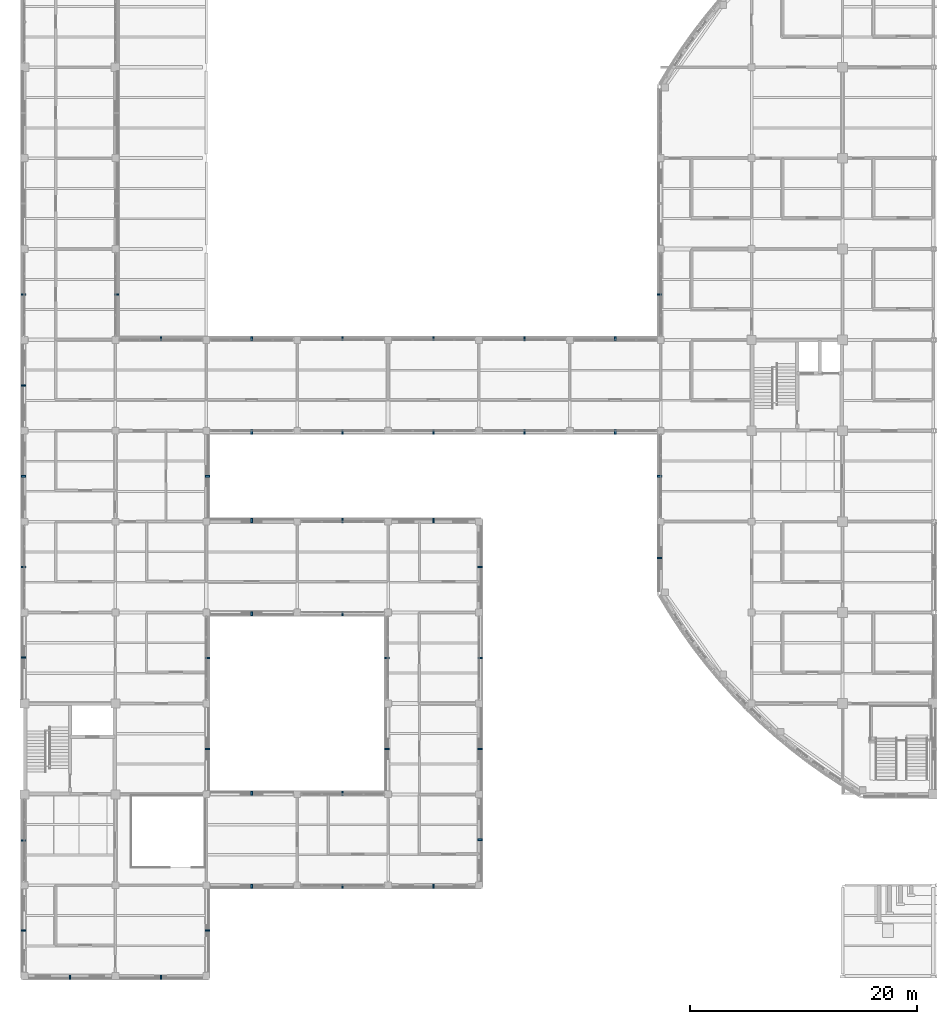
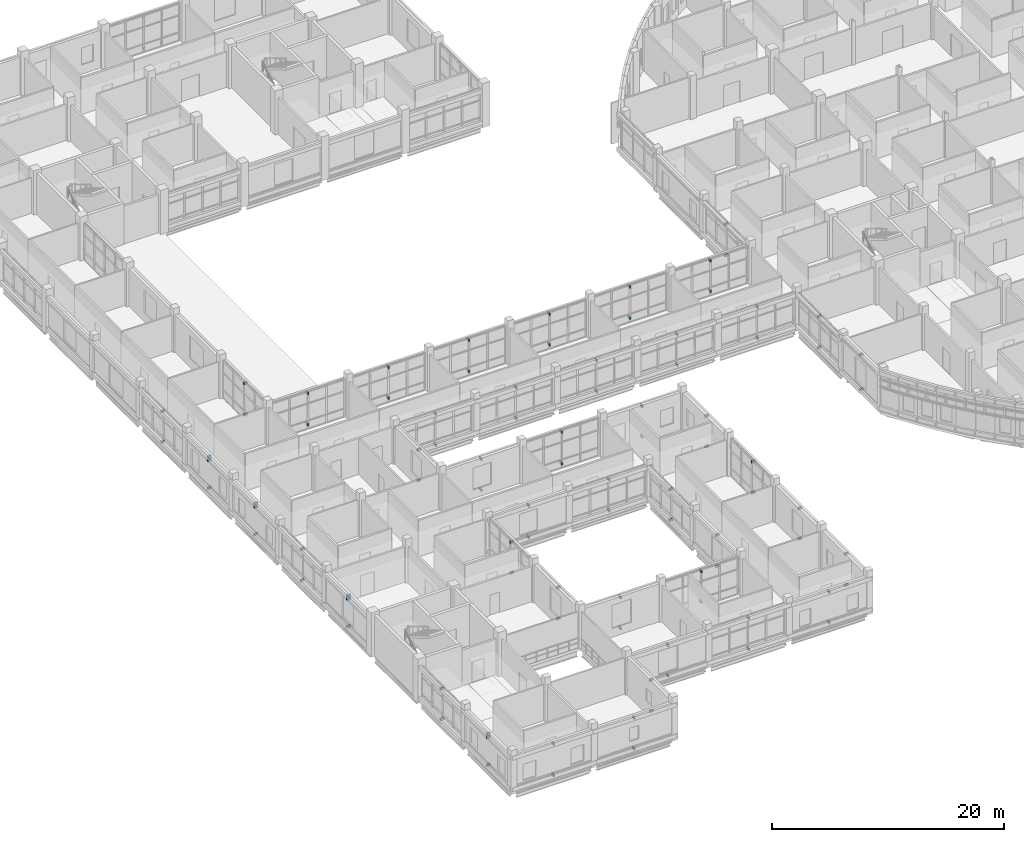
# One storey, part 101 of 121: 92 discrete accessories.
"""IFC4 building model written with IfcOpenShell, lengths in metres."""

import ifcopenshell
import ifcopenshell.guid

model = None  # the IFC model being written
_history = None  # IfcOwnerHistory: only IFC2X3 demands one
_inside = {}  # id of a spatial element -> (the spatial element, [elements in it])
_under = {}  # id of a project, library or spatial element -> (it, [spatial elements below it])
_declared = {}  # id of a project -> (the project, [libraries it declares])
_typed = {}  # id of a type object -> (the type object, [elements of that type])
_made_of = {}  # id of a material, layer set ... -> (it, [elements and type objects made of it])


def new_model(schema):
    """Start an empty IFC model of exactly this schema.

    Asked for "IFC4X3", IfcOpenShell would pick the latest addendum, in which some entities
    have other attributes; the version numbers below select the first issue.
    IFC2X3 requires an IfcOwnerHistory on every rooted entity: one is made here for all.
    """
    global model, _history
    if schema == "IFC4X3":
        model = ifcopenshell.file(schema_version=(4, 3, 0, 0))
    else:
        model = ifcopenshell.file(schema=schema)
    _inside.clear()
    _under.clear()
    _declared.clear()
    _typed.clear()
    _made_of.clear()
    _history = None
    if model.schema == "IFC2X3":
        org = make("IfcOrganization", Name="unknown")
        user = make(
            "IfcPersonAndOrganization",
            ThePerson=make("IfcPerson", FamilyName="unknown"),
            TheOrganization=org,
        )
        app = make(
            "IfcApplication",
            ApplicationDeveloper=org,
            Version="unknown",
            ApplicationFullName="unknown",
            ApplicationIdentifier="unknown",
        )
        _history = make(
            "IfcOwnerHistory",
            OwningUser=user,
            OwningApplication=app,
            ChangeAction="ADDED",
            CreationDate=0,
        )
    return model


def make(cls, **values):
    """One entity of the class cls with the attributes given. An attribute that is None is left unset."""
    return model.create_entity(
        cls, **{name: value for name, value in values.items() if value is not None}
    )


def rooted(cls, **values):
    """An entity with a GlobalId (a new one), such as an element, a storey or a relation."""
    return make(cls, GlobalId=ifcopenshell.guid.new(), OwnerHistory=_history, **values)


def si_unit(unit_type, name, prefix=None):
    """IfcSIUnit, for example si_unit("LENGTHUNIT", "METRE", prefix="MILLI")."""
    return make("IfcSIUnit", UnitType=unit_type, Prefix=prefix, Name=name)


def derived_unit(unit_type, elements):
    """IfcDerivedUnit: a product of units, each with its exponent."""
    return make(
        "IfcDerivedUnit",
        Elements=[
            make("IfcDerivedUnitElement", Unit=unit, Exponent=power)
            for unit, power in elements
        ],
        UnitType=unit_type,
    )


def assignment(units):
    """IfcUnitAssignment: the units of a project."""
    return None if units is None else make("IfcUnitAssignment", Units=units)


def point(xyz):
    """IfcCartesianPoint."""
    return None if xyz is None else make("IfcCartesianPoint", Coordinates=xyz)


def direction(xyz):
    """IfcDirection."""
    return None if xyz is None else make("IfcDirection", DirectionRatios=xyz)


def frame(location, z_axis=None, x_axis=None):
    """IfcAxis2Placement3D, a coordinate frame: its origin and axes. An axis left out is left unset."""
    return make(
        "IfcAxis2Placement3D",
        Location=point(location),
        Axis=direction(z_axis),
        RefDirection=direction(x_axis),
    )


def frame_2d(location, x_axis=None):
    """IfcAxis2Placement2D, a coordinate frame in the plane: its origin and x axis."""
    return make(
        "IfcAxis2Placement2D", Location=point(location), RefDirection=direction(x_axis)
    )


def origin():
    """The frame at (0, 0, 0) with its axes left unset."""
    return frame((0.0, 0.0, 0.0))


def origin_2d():
    """The frame at (0, 0) in the plane with its x axis left unset."""
    return frame_2d((0.0, 0.0))


def place(relative_to, where):
    """IfcLocalPlacement: puts the frame where relative to a parent placement (None: the world)."""
    return make(
        "IfcLocalPlacement", PlacementRelTo=relative_to, RelativePlacement=where
    )


def context(
    kind, dimensions, precision=None, world=None, true_north=None, identifier=None
):
    """IfcGeometricRepresentationContext, for example the 3D "Model" context."""
    return make(
        "IfcGeometricRepresentationContext",
        ContextIdentifier=identifier,
        ContextType=kind,
        CoordinateSpaceDimension=dimensions,
        Precision=precision,
        WorldCoordinateSystem=world,
        TrueNorth=true_north,
    )


def subcontext(parent, identifier, kind, view, scale=None):
    """IfcGeometricRepresentationSubContext, for example "Body" below "Model"."""
    return make(
        "IfcGeometricRepresentationSubContext",
        ContextIdentifier=identifier,
        ContextType=kind,
        ParentContext=parent,
        TargetScale=scale,
        TargetView=view,
    )


def project(units=None, contexts=None):
    """IfcProject with its units and contexts."""
    return rooted(
        "IfcProject",
        Name="project",
        RepresentationContexts=contexts,
        UnitsInContext=assignment(units),
    )


def spatial(cls, under=None, at=None, **own):
    """A site, building, storey or space (cls), placed at a placement, below another one or the project."""
    s = rooted(cls, ObjectPlacement=at, **own)
    if under is not None:
        _under.setdefault(under.id(), (under, []))[1].append(s)
    return s


def profile(cls, at=None, kind="AREA", **sizes):
    """A parametric profile (cls). Its sizes go by their IFC names, for example OverallWidth=200.0."""
    return make(cls, ProfileType=kind, Position=at, **sizes)


def rectangle(**sizes):
    """IfcRectangleProfileDef."""
    return profile("IfcRectangleProfileDef", **sizes)


def extrude(swept, where, along, depth):
    """IfcExtrudedAreaSolid: the profile swept, set in the frame where, extruded along a direction by depth."""
    return make(
        "IfcExtrudedAreaSolid",
        SweptArea=swept,
        Position=where,
        ExtrudedDirection=direction(along),
        Depth=depth,
    )


def shape(context_of_items, identifier, shape_type, items):
    """IfcShapeRepresentation: the items that make up one representation, for example the "Body"."""
    return make(
        "IfcShapeRepresentation",
        ContextOfItems=context_of_items,
        RepresentationIdentifier=identifier,
        RepresentationType=shape_type,
        Items=items,
    )


def material(Name=None, Category=None):
    """IfcMaterial."""
    return make("IfcMaterial", Name=Name, Category=Category)


def made_of(thing, what):
    """Note that an element or type object is made of a material, layer set ...; save() writes the relation."""
    if what is not None:
        _made_of.setdefault(what.id(), (what, []))[1].append(thing)
    return thing


def type_object(cls, material=None, **own):
    """A type object (cls), such as IfcWallType, which elements share."""
    return made_of(rooted(cls, **own), material)


def element(
    cls,
    number,
    at=None,
    inside=None,
    cuts=None,
    type_object=None,
    material=None,
    context=None,
    identifier="Body",
    shape_type=None,
    held_by="IfcProductDefinitionShape",
    body=None,
    shapes=None,
    **own,
):
    """One element of the class cls, such as IfcWall. Its Tag is "e" and its number.

    at: its placement. inside: the storey or other place that contains it. cuts: it is an
    opening in that element (IfcRelVoidsElement). A single representation is given by context,
    identifier, shape_type and body (its items); several are given by shapes. held_by: the class
    of the entity that holds the representations. save() writes the other relations.
    """
    e = rooted(cls, Tag="e%d" % number, ObjectPlacement=at, **own)
    if body is not None:
        shapes = [shape(context, identifier, shape_type, body)]
    if shapes is not None:
        e.Representation = make(held_by, Representations=shapes)
    if inside is not None:
        _inside.setdefault(inside.id(), (inside, []))[1].append(e)
    if cuts is not None:
        rooted(
            "IfcRelVoidsElement", RelatingBuildingElement=cuts, RelatedOpeningElement=e
        )
    if type_object is not None:
        _typed.setdefault(type_object.id(), (type_object, []))[1].append(e)
    return made_of(e, material)


def aggregate(whole, parts):
    """IfcRelAggregates: a whole, such as a stair, and the parts it consists of."""
    return rooted("IfcRelAggregates", RelatingObject=whole, RelatedObjects=parts)


def save(model, path):
    """Write the relations noted so far, then the file.

    IfcRelAggregates (storeys below a building ...), IfcRelContainedInSpatialStructure (elements
    in a storey), IfcRelDefinesByType, IfcRelAssociatesMaterial and IfcRelDeclares: one each for
    every whole, place, type object, material and project.
    """
    for whole, parts in _under.values():
        aggregate(whole, parts)
    for where, things in _inside.values():
        rooted(
            "IfcRelContainedInSpatialStructure",
            RelatedElements=things,
            RelatingStructure=where,
        )
    for kind, things in _typed.values():
        rooted("IfcRelDefinesByType", RelatedObjects=things, RelatingType=kind)
    for what, things in _made_of.values():
        rooted("IfcRelAssociatesMaterial", RelatedObjects=things, RelatingMaterial=what)
    for by, libraries in _declared.values():
        rooted("IfcRelDeclares", RelatingContext=by, RelatedDefinitions=libraries)
    model.write(path)


model = new_model("IFC4")

# Units and contexts
model_context = context("Model", 3, precision=1e-05, world=origin(), true_north=direction((0.0, 1.0)))
body_context = subcontext(model_context, "Body", "Model", "MODEL_VIEW")
ifc_project = project(units=[si_unit("LENGTHUNIT", "METRE"), si_unit("AREAUNIT", "SQUARE_METRE"), si_unit("VOLUMEUNIT", "CUBIC_METRE"), si_unit("PLANEANGLEUNIT", "RADIAN"), si_unit("MASSUNIT", "GRAM", prefix="KILO"), derived_unit("THERMALTRANSMITTANCEUNIT", [(si_unit("MASSUNIT", "GRAM", prefix="KILO"), 1), (si_unit("TIMEUNIT", "SECOND"), -3), (si_unit("THERMODYNAMICTEMPERATUREUNIT", "KELVIN"), -1)])], contexts=[model_context])

# Site, building, storey
site_placement = place(None, origin())
site = spatial("IfcSite", under=ifc_project, at=site_placement, CompositionType="ELEMENT")
building_placement = place(site_placement, origin())
building = spatial("IfcBuilding", under=site, at=building_placement, Name="Veyamyaing Civic Hall", CompositionType="ELEMENT")
storey_placement = place(building_placement, frame((0.0, 0.0, 5.280029296875)))
storey = spatial("IfcBuildingStorey", under=building, at=storey_placement, Name="L01", CompositionType="ELEMENT", Elevation=5.280029296875)

# Discrete accessories
ifc_material = material(Name="Steel S355J2", Category="steel")
discrete_accessory_type = type_object("IfcDiscreteAccessoryType", Name="BK-01", PredefinedType="BRACKET", material=ifc_material)
for number, where, z_axis, x_axis, name in (
    (1, (4.0, -0.10009765625, 3.6337890625), (0.0, 0.0, 1.0), (0.0, -1.0, 0.0), "Sunshade anchor bracket BK-01 L01 S 1.1"),
    (2, (4.0, -0.10009765625, 0.35986328125), (0.0, 0.0, 1.0), (0.0, -1.0, 0.0), "Lower ribbon anchor bracket BK-01 L01 S 1.1"),
    (3, (-0.10009765625, 4.0, 3.6337890625), (0.0, 0.0, 1.0), (-1.0, 0.0, 0.0), "Sunshade anchor bracket BK-01 L01 W 1.1"),
    (4, (-0.10009765625, 4.0, 0.35986328125), (0.0, 0.0, 1.0), (-1.0, 0.0, 0.0), "Lower ribbon anchor bracket BK-01 L01 W 1.1"),
    (5, (-0.10009765625, 4.0, 3.30419921875), (0.0, 0.0, 1.0), (-1.0, 0.0, 0.0), "Louvre anchor bracket BK-01 L01 W 1.1"),
    (6, (-0.10009765625, 11.949951171875, 3.57421875), (0.0, 0.0, 1.0), (-1.0, 0.0, 0.0), "Sunshade anchor bracket BK-01 L01 W 1.2"),
    (7, (-0.10009765625, 11.949951171875, 0.35986328125), (0.0, 0.0, 1.0), (-1.0, 0.0, 0.0), "Lower ribbon anchor bracket BK-01 L01 W 1.2"),
    (8, (-0.10009765625, 28.050048828125, 3.56982421875), (0.0, 0.0, 1.0), (-1.0, 0.0, 0.0), "Sunshade anchor bracket BK-01 L01 W 1.4"),
    (9, (-0.10009765625, 28.050048828125, 0.35986328125), (0.0, 0.0, 1.0), (-1.0, 0.0, 0.0), "Lower ribbon anchor bracket BK-01 L01 W 1.4"),
    (10, (-0.10009765625, 28.050048828125, 3.23974609375), (0.0, 0.0, 1.0), (-1.0, 0.0, 0.0), "Louvre anchor bracket BK-01 L01 W 1.4"),
    (11, (-0.10009765625, 36.0, 3.6337890625), (0.0, 0.0, 1.0), (-1.0, 0.0, 0.0), "Sunshade anchor bracket BK-01 L01 W 1.5"),
    (12, (-0.10009765625, 36.0, 0.35986328125), (0.0, 0.0, 1.0), (-1.0, 0.0, 0.0), "Lower ribbon anchor bracket BK-01 L01 W 1.5"),
    (13, (-0.10009765625, 44.0, 3.57421875), (0.0, 0.0, 1.0), (-1.0, 0.0, 0.0), "Sunshade anchor bracket BK-01 L01 W 1.6"),
    (14, (-0.10009765625, 44.0, 0.35986328125), (0.0, 0.0, 1.0), (-1.0, 0.0, 0.0), "Lower ribbon anchor bracket BK-01 L01 W 1.6"),
    (15, (-0.10009765625, 44.0, 3.244140625), (0.0, 0.0, 1.0), (-1.0, 0.0, 0.0), "Louvre anchor bracket BK-01 L01 W 1.6"),
    (16, (-0.10009765625, 52.0, 3.63720703125), (0.0, 0.0, 1.0), (-1.0, 0.0, 0.0), "Sunshade anchor bracket BK-01 L01 W 1.7"),
    (17, (-0.10009765625, 52.0, 0.35986328125), (0.0, 0.0, 1.0), (-1.0, 0.0, 0.0), "Lower ribbon anchor bracket BK-01 L01 W 1.7"),
    (18, (-0.10009765625, 52.0, 3.30712890625), (0.0, 0.0, 1.0), (-1.0, 0.0, 0.0), "Louvre anchor bracket BK-01 L01 W 1.7"),
    (19, (-0.10009765625, 60.0, 3.56982421875), (0.0, 0.0, 1.0), (-1.0, 0.0, 0.0), "Sunshade anchor bracket BK-01 L01 W 1.8"),
    (20, (-0.10009765625, 60.0, 0.35986328125), (0.0, 0.0, 1.0), (-1.0, 0.0, 0.0), "Lower ribbon anchor bracket BK-01 L01 W 1.8"),
    (21, (8.10009765625, 60.0, 3.6337890625), (0.0, 0.0, 1.0), (1.0, 0.0, 0.0), "Sunshade anchor bracket BK-01 L01 E 1.8"),
    (22, (8.10009765625, 60.0, 0.35986328125), (0.0, 0.0, 1.0), (1.0, 0.0, 0.0), "Lower ribbon anchor bracket BK-01 L01 E 1.8"),
    (23, (12.0, -0.10009765625, 3.57421875), (0.0, 0.0, 1.0), (0.0, -1.0, 0.0), "Sunshade anchor bracket BK-01 L01 S 2.1"),
    (24, (12.0, -0.10009765625, 0.35986328125), (0.0, 0.0, 1.0), (0.0, -1.0, 0.0), "Lower ribbon anchor bracket BK-01 L01 S 2.1"),
    (25, (16.10009765625, 4.0, 3.63720703125), (0.0, 0.0, 1.0), (1.0, 0.0, 0.0), "Sunshade anchor bracket BK-01 L01 E 2.1"),
    (26, (16.10009765625, 4.0, 0.35986328125), (0.0, 0.0, 1.0), (1.0, 0.0, 0.0), "Lower ribbon anchor bracket BK-01 L01 E 2.1"),
    (27, (16.10009765625, 20.0, 3.6337890625), (0.0, 0.0, 1.0), (1.0, 0.0, 0.0), "Sunshade anchor bracket BK-01 L01 E 2.3"),
    (28, (16.10009765625, 20.0, 0.35986328125), (0.0, 0.0, 1.0), (1.0, 0.0, 0.0), "Lower ribbon anchor bracket BK-01 L01 E 2.3"),
    (29, (16.10009765625, 28.0, 3.57421875), (0.0, 0.0, 1.0), (1.0, 0.0, 0.0), "Sunshade anchor bracket BK-01 L01 E 2.4"),
    (30, (16.10009765625, 28.0, 0.35986328125), (0.0, 0.0, 1.0), (1.0, 0.0, 0.0), "Lower ribbon anchor bracket BK-01 L01 E 2.4"),
    (31, (16.10009765625, 44.0, 3.56982421875), (0.0, 0.0, 1.0), (1.0, 0.0, 0.0), "Sunshade anchor bracket BK-01 L01 E 2.6"),
    (32, (16.10009765625, 44.0, 0.35986328125), (0.0, 0.0, 1.0), (1.0, 0.0, 0.0), "Lower ribbon anchor bracket BK-01 L01 E 2.6"),
    (33, (12.0, 56.10009765625, 3.6337890625), (0.0, 0.0, 1.0), (0.0, 1.0, 0.0), "Sunshade anchor bracket BK-01 L01 N 2.7"),
    (34, (12.0, 56.10009765625, 0.35986328125), (0.0, 0.0, 1.0), (0.0, 1.0, 0.0), "Lower ribbon anchor bracket BK-01 L01 N 2.7"),
    (35, (20.0, 7.89990234375, 3.56982421875), (0.0, 0.0, 1.0), (0.0, -1.0, 0.0), "Sunshade anchor bracket BK-01 L01 S 3.2"),
    (36, (20.0, 7.89990234375, 0.35986328125), (0.0, 0.0, 1.0), (0.0, -1.0, 0.0), "Lower ribbon anchor bracket BK-01 L01 S 3.2"),
    (37, (20.0, 16.10009765625, 3.6337890625), (0.0, 0.0, 1.0), (0.0, 1.0, 0.0), "Sunshade anchor bracket BK-01 L01 N 3.2"),
    (38, (20.0, 16.10009765625, 0.35986328125), (0.0, 0.0, 1.0), (0.0, 1.0, 0.0), "Lower ribbon anchor bracket BK-01 L01 N 3.2"),
    (39, (20.0, 31.89990234375, 3.68212890625), (0.0, 0.0, 1.0), (0.0, -1.0, 0.0), "Sunshade anchor bracket BK-01 L01 S 3.5"),
    (40, (20.0, 31.89990234375, 0.35986328125), (0.0, 0.0, 1.0), (0.0, -1.0, 0.0), "Lower ribbon anchor bracket BK-01 L01 S 3.5"),
    (41, (20.0, 40.10009765625, 3.61474609375), (0.0, 0.0, 1.0), (0.0, 1.0, 0.0), "Sunshade anchor bracket BK-01 L01 N 3.5"),
    (42, (20.0, 40.10009765625, 0.35986328125), (0.0, 0.0, 1.0), (0.0, 1.0, 0.0), "Lower ribbon anchor bracket BK-01 L01 N 3.5"),
    (43, (20.0, 47.89990234375, 3.6337890625), (0.0, 0.0, 1.0), (0.0, -1.0, 0.0), "Sunshade anchor bracket BK-01 L01 S 3.7"),
    (44, (20.0, 47.89990234375, 0.35986328125), (0.0, 0.0, 1.0), (0.0, -1.0, 0.0), "Lower ribbon anchor bracket BK-01 L01 S 3.7"),
    (45, (20.0, 56.10009765625, 3.57421875), (0.0, 0.0, 1.0), (0.0, 1.0, 0.0), "Sunshade anchor bracket BK-01 L01 N 3.7"),
    (46, (20.0, 56.10009765625, 0.35986328125), (0.0, 0.0, 1.0), (0.0, 1.0, 0.0), "Lower ribbon anchor bracket BK-01 L01 N 3.7"),
    (47, (28.0, 7.89990234375, 3.6337890625), (0.0, 0.0, 1.0), (0.0, -1.0, 0.0), "Sunshade anchor bracket BK-01 L01 S 4.2"),
    (48, (28.0, 7.89990234375, 0.35986328125), (0.0, 0.0, 1.0), (0.0, -1.0, 0.0), "Lower ribbon anchor bracket BK-01 L01 S 4.2"),
    (49, (28.0, 16.10009765625, 3.57421875), (0.0, 0.0, 1.0), (0.0, 1.0, 0.0), "Sunshade anchor bracket BK-01 L01 N 4.2"),
    (50, (28.0, 16.10009765625, 0.35986328125), (0.0, 0.0, 1.0), (0.0, 1.0, 0.0), "Lower ribbon anchor bracket BK-01 L01 N 4.2"),
    (51, (28.0, 31.89990234375, 3.61474609375), (0.0, 0.0, 1.0), (0.0, -1.0, 0.0), "Sunshade anchor bracket BK-01 L01 S 4.5"),
    (52, (28.0, 31.89990234375, 0.35986328125), (0.0, 0.0, 1.0), (0.0, -1.0, 0.0), "Lower ribbon anchor bracket BK-01 L01 S 4.5"),
    (53, (28.0, 40.10009765625, 3.67919921875), (0.0, 0.0, 1.0), (0.0, 1.0, 0.0), "Sunshade anchor bracket BK-01 L01 N 4.5"),
    (54, (28.0, 40.10009765625, 0.35986328125), (0.0, 0.0, 1.0), (0.0, 1.0, 0.0), "Lower ribbon anchor bracket BK-01 L01 N 4.5"),
    (55, (28.0, 47.89990234375, 3.57421875), (0.0, 0.0, 1.0), (0.0, -1.0, 0.0), "Sunshade anchor bracket BK-01 L01 S 4.7"),
    (56, (28.0, 47.89990234375, 0.35986328125), (0.0, 0.0, 1.0), (0.0, -1.0, 0.0), "Lower ribbon anchor bracket BK-01 L01 S 4.7"),
    (57, (28.0, 56.10009765625, 3.63720703125), (0.0, 0.0, 1.0), (0.0, 1.0, 0.0), "Sunshade anchor bracket BK-01 L01 N 4.7"),
    (58, (28.0, 56.10009765625, 0.35986328125), (0.0, 0.0, 1.0), (0.0, 1.0, 0.0), "Lower ribbon anchor bracket BK-01 L01 N 4.7"),
    (59, (36.0, 7.89990234375, 3.57421875), (0.0, 0.0, 1.0), (0.0, -1.0, 0.0), "Sunshade anchor bracket BK-01 L01 S 5.2"),
    (60, (36.0, 7.89990234375, 0.35986328125), (0.0, 0.0, 1.0), (0.0, -1.0, 0.0), "Lower ribbon anchor bracket BK-01 L01 S 5.2"),
    (61, (40.10009765625, 12.0, 3.63720703125), (0.0, 0.0, 1.0), (1.0, 0.0, 0.0), "Sunshade anchor bracket BK-01 L01 E 5.2"),
    (62, (40.10009765625, 12.0, 0.35986328125), (0.0, 0.0, 1.0), (1.0, 0.0, 0.0), "Lower ribbon anchor bracket BK-01 L01 E 5.2"),
    (63, (31.89990234375, 20.0, 3.63720703125), (0.0, 0.0, 1.0), (-1.0, 0.0, 0.0), "Sunshade anchor bracket BK-01 L01 W 5.3"),
    (64, (31.89990234375, 20.0, 0.35986328125), (0.0, 0.0, 1.0), (-1.0, 0.0, 0.0), "Lower ribbon anchor bracket BK-01 L01 W 5.3"),
    (65, (40.10009765625, 20.0, 3.56982421875), (0.0, 0.0, 1.0), (1.0, 0.0, 0.0), "Sunshade anchor bracket BK-01 L01 E 5.3"),
    (66, (40.10009765625, 20.0, 0.35986328125), (0.0, 0.0, 1.0), (1.0, 0.0, 0.0), "Lower ribbon anchor bracket BK-01 L01 E 5.3"),
    (67, (31.89990234375, 28.0, 3.56982421875), (0.0, 0.0, 1.0), (-1.0, 0.0, 0.0), "Sunshade anchor bracket BK-01 L01 W 5.4"),
    (68, (31.89990234375, 28.0, 0.35986328125), (0.0, 0.0, 1.0), (-1.0, 0.0, 0.0), "Lower ribbon anchor bracket BK-01 L01 W 5.4"),
    (69, (40.10009765625, 28.0, 3.6337890625), (0.0, 0.0, 1.0), (1.0, 0.0, 0.0), "Sunshade anchor bracket BK-01 L01 E 5.4"),
    (70, (40.10009765625, 28.0, 0.35986328125), (0.0, 0.0, 1.0), (1.0, 0.0, 0.0), "Lower ribbon anchor bracket BK-01 L01 E 5.4"),
    (71, (36.0, 40.10009765625, 3.57421875), (0.0, 0.0, 1.0), (0.0, 1.0, 0.0), "Sunshade anchor bracket BK-01 L01 N 5.5"),
    (72, (36.0, 40.10009765625, 0.35986328125), (0.0, 0.0, 1.0), (0.0, 1.0, 0.0), "Lower ribbon anchor bracket BK-01 L01 N 5.5"),
    (73, (40.10009765625, 36.0, 3.57421875), (0.0, 0.0, 1.0), (1.0, 0.0, 0.0), "Sunshade anchor bracket BK-01 L01 E 5.5"),
    (74, (40.10009765625, 36.0, 0.35986328125), (0.0, 0.0, 1.0), (1.0, 0.0, 0.0), "Lower ribbon anchor bracket BK-01 L01 E 5.5"),
    (75, (36.0, 47.89990234375, 3.63720703125), (0.0, 0.0, 1.0), (0.0, -1.0, 0.0), "Sunshade anchor bracket BK-01 L01 S 5.7"),
    (76, (36.0, 47.89990234375, 0.35986328125), (0.0, 0.0, 1.0), (0.0, -1.0, 0.0), "Lower ribbon anchor bracket BK-01 L01 S 5.7"),
    (77, (36.0, 56.10009765625, 3.56982421875), (0.0, 0.0, 1.0), (0.0, 1.0, 0.0), "Sunshade anchor bracket BK-01 L01 N 5.7"),
    (78, (36.0, 56.10009765625, 0.35986328125), (0.0, 0.0, 1.0), (0.0, 1.0, 0.0), "Lower ribbon anchor bracket BK-01 L01 N 5.7"),
    (79, (44.0, 47.89990234375, 3.56982421875), (0.0, 0.0, 1.0), (0.0, -1.0, 0.0), "Sunshade anchor bracket BK-01 L01 S 6.7"),
    (80, (44.0, 47.89990234375, 0.35986328125), (0.0, 0.0, 1.0), (0.0, -1.0, 0.0), "Lower ribbon anchor bracket BK-01 L01 S 6.7"),
    (81, (44.0, 56.10009765625, 3.6337890625), (0.0, 0.0, 1.0), (0.0, 1.0, 0.0), "Sunshade anchor bracket BK-01 L01 N 6.7"),
    (82, (44.0, 56.10009765625, 0.35986328125), (0.0, 0.0, 1.0), (0.0, 1.0, 0.0), "Lower ribbon anchor bracket BK-01 L01 N 6.7"),
    (83, (52.0, 47.89990234375, 3.6337890625), (0.0, 0.0, 1.0), (0.0, -1.0, 0.0), "Sunshade anchor bracket BK-01 L01 S 7.7"),
    (84, (52.0, 47.89990234375, 0.35986328125), (0.0, 0.0, 1.0), (0.0, -1.0, 0.0), "Lower ribbon anchor bracket BK-01 L01 S 7.7"),
    (85, (52.0, 56.10009765625, 3.57421875), (0.0, 0.0, 1.0), (0.0, 1.0, 0.0), "Sunshade anchor bracket BK-01 L01 N 7.7"),
    (86, (52.0, 56.10009765625, 0.35986328125), (0.0, 0.0, 1.0), (0.0, 1.0, 0.0), "Lower ribbon anchor bracket BK-01 L01 N 7.7"),
    (87, (55.89990234375, 36.78466796875, 3.9951171875), (0.0, 0.0, 1.0), (-1.0, 0.0, 0.0), "Sunshade anchor bracket BK-01 L01 W 8.5"),
    (88, (55.89990234375, 36.78466796875, 0.35986328125), (0.0, 0.0, 1.0), (-1.0, 0.0, 0.0), "Lower ribbon anchor bracket BK-01 L01 W 8.5"),
    (89, (55.89990234375, 44.0, 3.6337890625), (0.0, 0.0, 1.0), (-1.0, 0.0, 0.0), "Sunshade anchor bracket BK-01 L01 W 8.6"),
    (90, (55.89990234375, 44.0, 0.35986328125), (0.0, 0.0, 1.0), (-1.0, 0.0, 0.0), "Lower ribbon anchor bracket BK-01 L01 W 8.6"),
    (91, (55.89990234375, 60.0, 3.63720703125), (0.0, 0.0, 1.0), (-1.0, 0.0, 0.0), "Sunshade anchor bracket BK-01 L01 W 8.8"),
    (92, (55.89990234375, 60.0, 0.35986328125), (0.0, 0.0, 1.0), (-1.0, 0.0, 0.0), "Lower ribbon anchor bracket BK-01 L01 W 8.8"),
):
    element("IfcDiscreteAccessory", number, at=place(storey_placement, frame(where, z_axis=z_axis, x_axis=x_axis)), inside=storey, type_object=discrete_accessory_type, Name=name, PredefinedType="BRACKET", context=body_context, shape_type="SweptSolid", body=[
        extrude(rectangle(XDim=0.3798828125, YDim=0.139892578125, at=origin_2d()), origin(), (0.0, 0.0, 1.0), 0.239990234375),
    ])

save(model, "model.ifc")
